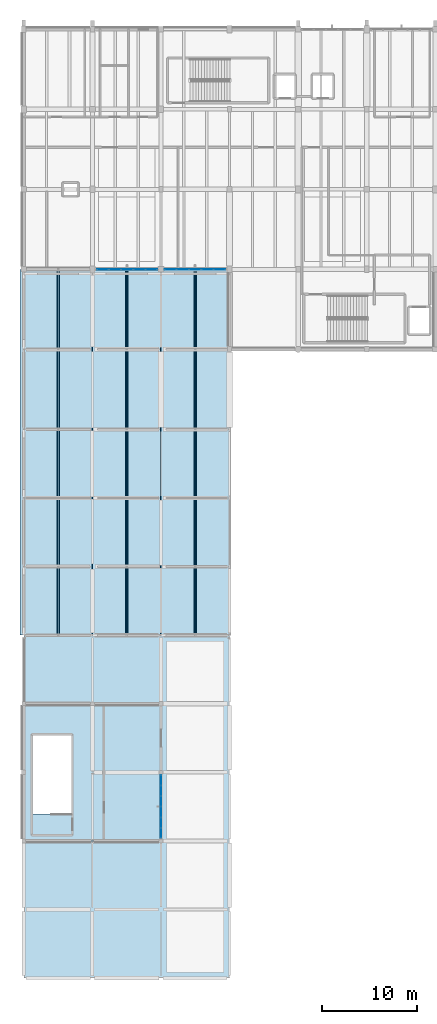
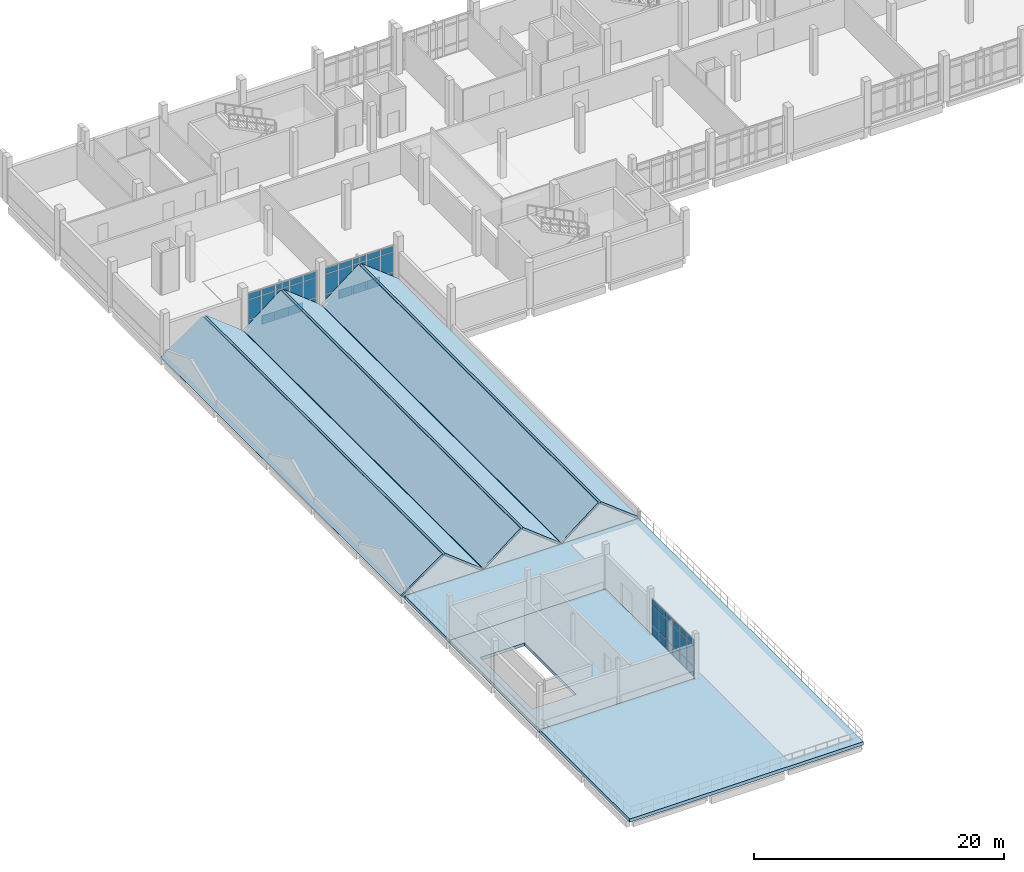
# One storey, part 27 of 41: 48 plates, 9 slabs, 3 elements without a shape of their own.
"""IFC4 building model written with IfcOpenShell, lengths in metres."""

from ifc_helpers import new_model, si_unit, direction, frame, origin, origin_2d, place, context, subcontext, project, spatial, polyline, rectangle, outline, extrude, material, layer, layer_set, type_object, element, aggregate, save


model = new_model("IFC4")

# Units and contexts
model_context = context("Model", 3, precision=1e-05, world=origin(), true_north=direction((0.0, 1.0)))
body_context = subcontext(model_context, "Body", "Model", "MODEL_VIEW")
ifc_project = project(units=[si_unit("LENGTHUNIT", "METRE"), si_unit("AREAUNIT", "SQUARE_METRE"), si_unit("VOLUMEUNIT", "CUBIC_METRE"), si_unit("PLANEANGLEUNIT", "RADIAN"), si_unit("MASSUNIT", "GRAM", prefix="KILO")], contexts=[model_context])

# Site, building, storey
site_placement = place(None, origin())
site = spatial("IfcSite", under=ifc_project, at=site_placement, CompositionType="ELEMENT")
building_placement = place(site_placement, origin())
building = spatial("IfcBuilding", under=site, at=building_placement, Name="Kalluvel Institute of Natural Sciences", CompositionType="ELEMENT")
storey_placement = place(building_placement, frame((0.0, 0.0, 32.39990234375)))
storey = spatial("IfcBuildingStorey", under=building, at=storey_placement, Name="L07", CompositionType="ELEMENT", Elevation=32.39990234375)

# Curtain wall, plates
ifc_material_1 = material(Name="Aluminium AW-6063 T6", Category="aluminium")
curtain_wall_type_1 = type_object("IfcCurtainWallType", Name="CW-WET-45", PredefinedType="USERDEFINED", material=ifc_material_1)
curtain_wall_1_placement = place(storey_placement, origin())
curtain_wall_1 = element("IfcCurtainWall", 1, at=curtain_wall_1_placement, inside=storey, type_object=curtain_wall_type_1, Name="L07 Gothic lancet curtain wall CWA-L07-X216-Y1028", ObjectType="UNITISED LANCET FACADE", PredefinedType="USERDEFINED")
ifc_material_2 = material(Name="Solar-Control Low-E Laminated Glass", Category="glass")
ifc_layer_1 = layer(ifc_material_2, 0.031982421875)
ifc_layer_set_1 = layer_set([ifc_layer_1], Name="Solar-Control Low-E Laminated Glass")
plate_type = type_object("IfcPlateType", Name="CWP-DGU-32", PredefinedType="CURTAIN_PANEL", material=ifc_layer_set_1)
plate_1_placement = place(storey_placement, frame((22.28369140625, 102.800048828125, 0.065185546875), z_axis=(0.0, 0.0, 1.0), x_axis=(1.0, 0.0, 0.0)))
plate_1 = element("IfcPlate", 2, at=plate_1_placement, type_object=plate_type, Name="CW-01 panel 1.1", PredefinedType="CURTAIN_PANEL", context=body_context, shape_type="SweptSolid", body=[
    extrude(rectangle(XDim=1.1875, YDim=0.031982421875, at=origin_2d()), origin(), (0.0, 0.0, 1.0), 0.8525390625),
])
plate_2_placement = place(storey_placement, frame((22.28369140625, 102.800048828125, 0.982666015625), z_axis=(0.0, 0.0, 1.0), x_axis=(1.0, 0.0, 0.0)))
plate_2 = element("IfcPlate", 3, at=plate_2_placement, type_object=plate_type, Name="CW-01 panel 1.2", PredefinedType="CURTAIN_PANEL", context=body_context, shape_type="SweptSolid", body=[
    extrude(rectangle(XDim=1.1875, YDim=0.031982421875, at=origin_2d()), origin(), (0.0, 0.0, 1.0), 1.9150390625),
])
plate_3_placement = place(storey_placement, frame((22.28369140625, 102.800048828125, 2.96240234375), z_axis=(0.0, 0.0, 1.0), x_axis=(1.0, 0.0, 0.0)))
plate_3 = element("IfcPlate", 4, at=plate_3_placement, type_object=plate_type, Name="CW-01 panel 1.3", PredefinedType="CURTAIN_PANEL", context=body_context, shape_type="SweptSolid", body=[
    extrude(rectangle(XDim=1.1875, YDim=0.031982421875, at=origin_2d()), origin(), (0.0, 0.0, 1.0), 0.552490234375),
])
plate_4_placement = place(storey_placement, frame((23.552490234375, 102.800048828125, 0.065185546875), z_axis=(0.0, 0.0, 1.0), x_axis=(1.0, 0.0, 0.0)))
plate_4 = element("IfcPlate", 5, at=plate_4_placement, type_object=plate_type, Name="CW-01 panel 2.1", PredefinedType="CURTAIN_PANEL", context=body_context, shape_type="SweptSolid", body=[
    extrude(rectangle(XDim=1.219970703125, YDim=0.031982421875, at=origin_2d()), origin(), (0.0, 0.0, 1.0), 0.8525390625),
])
plate_5_placement = place(storey_placement, frame((23.552490234375, 102.800048828125, 0.982666015625), z_axis=(0.0, 0.0, 1.0), x_axis=(1.0, 0.0, 0.0)))
plate_5 = element("IfcPlate", 6, at=plate_5_placement, type_object=plate_type, Name="CW-01 panel 2.2", PredefinedType="CURTAIN_PANEL", context=body_context, shape_type="SweptSolid", body=[
    extrude(rectangle(XDim=1.219970703125, YDim=0.031982421875, at=origin_2d()), origin(), (0.0, 0.0, 1.0), 1.9150390625),
])
plate_6_placement = place(storey_placement, frame((23.552490234375, 102.800048828125, 2.96240234375), z_axis=(0.0, 0.0, 1.0), x_axis=(1.0, 0.0, 0.0)))
plate_6 = element("IfcPlate", 7, at=plate_6_placement, type_object=plate_type, Name="CW-01 panel 2.3", PredefinedType="CURTAIN_PANEL", context=body_context, shape_type="SweptSolid", body=[
    extrude(rectangle(XDim=1.219970703125, YDim=0.031982421875, at=origin_2d()), origin(), (0.0, 0.0, 1.0), 0.552490234375),
])
plate_7_placement = place(storey_placement, frame((24.83740234375, 102.800048828125, 0.065185546875), z_axis=(0.0, 0.0, 1.0), x_axis=(1.0, 0.0, 0.0)))
plate_7 = element("IfcPlate", 8, at=plate_7_placement, type_object=plate_type, Name="CW-01 panel 3.1", PredefinedType="CURTAIN_PANEL", context=body_context, shape_type="SweptSolid", body=[
    extrude(rectangle(XDim=1.219970703125, YDim=0.031982421875, at=origin_2d()), origin(), (0.0, 0.0, 1.0), 0.8525390625),
])
plate_8_placement = place(storey_placement, frame((24.83740234375, 102.800048828125, 0.982666015625), z_axis=(0.0, 0.0, 1.0), x_axis=(1.0, 0.0, 0.0)))
plate_8 = element("IfcPlate", 9, at=plate_8_placement, type_object=plate_type, Name="CW-01 panel 3.2", PredefinedType="CURTAIN_PANEL", context=body_context, shape_type="SweptSolid", body=[
    extrude(rectangle(XDim=1.219970703125, YDim=0.031982421875, at=origin_2d()), origin(), (0.0, 0.0, 1.0), 1.9150390625),
])
plate_9_placement = place(storey_placement, frame((24.83740234375, 102.800048828125, 2.96240234375), z_axis=(0.0, 0.0, 1.0), x_axis=(1.0, 0.0, 0.0)))
plate_9 = element("IfcPlate", 10, at=plate_9_placement, type_object=plate_type, Name="CW-01 panel 3.3", PredefinedType="CURTAIN_PANEL", context=body_context, shape_type="SweptSolid", body=[
    extrude(rectangle(XDim=1.219970703125, YDim=0.031982421875, at=origin_2d()), origin(), (0.0, 0.0, 1.0), 0.552490234375),
])
plate_10_placement = place(storey_placement, frame((26.12255859375, 102.800048828125, 0.065185546875), z_axis=(0.0, 0.0, 1.0), x_axis=(1.0, 0.0, 0.0)))
plate_10 = element("IfcPlate", 11, at=plate_10_placement, type_object=plate_type, Name="CW-01 panel 4.1", PredefinedType="CURTAIN_PANEL", context=body_context, shape_type="SweptSolid", body=[
    extrude(rectangle(XDim=1.219970703125, YDim=0.031982421875, at=origin_2d()), origin(), (0.0, 0.0, 1.0), 0.8525390625),
])
plate_11_placement = place(storey_placement, frame((26.12255859375, 102.800048828125, 0.982666015625), z_axis=(0.0, 0.0, 1.0), x_axis=(1.0, 0.0, 0.0)))
plate_11 = element("IfcPlate", 12, at=plate_11_placement, type_object=plate_type, Name="CW-01 panel 4.2", PredefinedType="CURTAIN_PANEL", context=body_context, shape_type="SweptSolid", body=[
    extrude(rectangle(XDim=1.219970703125, YDim=0.031982421875, at=origin_2d()), origin(), (0.0, 0.0, 1.0), 1.9150390625),
])
plate_12_placement = place(storey_placement, frame((26.12255859375, 102.800048828125, 2.96240234375), z_axis=(0.0, 0.0, 1.0), x_axis=(1.0, 0.0, 0.0)))
plate_12 = element("IfcPlate", 13, at=plate_12_placement, type_object=plate_type, Name="CW-01 panel 4.3", PredefinedType="CURTAIN_PANEL", context=body_context, shape_type="SweptSolid", body=[
    extrude(rectangle(XDim=1.219970703125, YDim=0.031982421875, at=origin_2d()), origin(), (0.0, 0.0, 1.0), 0.552490234375),
])
plate_13_placement = place(storey_placement, frame((27.391357421875, 102.800048828125, 0.065185546875), z_axis=(0.0, 0.0, 1.0), x_axis=(1.0, 0.0, 0.0)))
plate_13 = element("IfcPlate", 14, at=plate_13_placement, type_object=plate_type, Name="CW-01 panel 5.1", PredefinedType="CURTAIN_PANEL", context=body_context, shape_type="SweptSolid", body=[
    extrude(rectangle(XDim=1.1875, YDim=0.031982421875, at=origin_2d()), origin(), (0.0, 0.0, 1.0), 0.8525390625),
])
plate_14_placement = place(storey_placement, frame((27.391357421875, 102.800048828125, 0.982666015625), z_axis=(0.0, 0.0, 1.0), x_axis=(1.0, 0.0, 0.0)))
plate_14 = element("IfcPlate", 15, at=plate_14_placement, type_object=plate_type, Name="CW-01 panel 5.2", PredefinedType="CURTAIN_PANEL", context=body_context, shape_type="SweptSolid", body=[
    extrude(rectangle(XDim=1.1875, YDim=0.031982421875, at=origin_2d()), origin(), (0.0, 0.0, 1.0), 1.9150390625),
])
plate_15_placement = place(storey_placement, frame((27.391357421875, 102.800048828125, 2.96240234375), z_axis=(0.0, 0.0, 1.0), x_axis=(1.0, 0.0, 0.0)))
plate_15 = element("IfcPlate", 16, at=plate_15_placement, type_object=plate_type, Name="CW-01 panel 5.3", PredefinedType="CURTAIN_PANEL", context=body_context, shape_type="SweptSolid", body=[
    extrude(rectangle(XDim=1.1875, YDim=0.031982421875, at=origin_2d()), origin(), (0.0, 0.0, 1.0), 0.552490234375),
])
aggregate(curtain_wall_1, [plate_1, plate_2, plate_3, plate_4, plate_5, plate_6, plate_7, plate_8, plate_9, plate_10, plate_11, plate_12, plate_13, plate_14, plate_15])

curtain_wall_2_placement = place(storey_placement, origin())
curtain_wall_2 = element("IfcCurtainWall", 17, at=curtain_wall_2_placement, inside=storey, type_object=curtain_wall_type_1, Name="L07 Gothic lancet curtain wall CWA-L07-X288-Y1028", ObjectType="UNITISED LANCET FACADE", PredefinedType="USERDEFINED")
plate_16_placement = place(storey_placement, frame((29.4111328125, 102.800048828125, 0.065185546875), z_axis=(0.0, 0.0, 1.0), x_axis=(1.0, 0.0, 0.0)))
plate_16 = element("IfcPlate", 18, at=plate_16_placement, type_object=plate_type, Name="CW-01 panel 1.1", PredefinedType="CURTAIN_PANEL", context=body_context, shape_type="SweptSolid", body=[
    extrude(rectangle(XDim=1.1923828125, YDim=0.031982421875, at=origin_2d()), origin(), (0.0, 0.0, 1.0), 0.8525390625),
])
plate_17_placement = place(storey_placement, frame((29.4111328125, 102.800048828125, 0.982666015625), z_axis=(0.0, 0.0, 1.0), x_axis=(1.0, 0.0, 0.0)))
plate_17 = element("IfcPlate", 19, at=plate_17_placement, type_object=plate_type, Name="CW-01 panel 1.2", PredefinedType="CURTAIN_PANEL", context=body_context, shape_type="SweptSolid", body=[
    extrude(rectangle(XDim=1.1923828125, YDim=0.031982421875, at=origin_2d()), origin(), (0.0, 0.0, 1.0), 1.9150390625),
])
plate_18_placement = place(storey_placement, frame((29.4111328125, 102.800048828125, 2.96240234375), z_axis=(0.0, 0.0, 1.0), x_axis=(1.0, 0.0, 0.0)))
plate_18 = element("IfcPlate", 20, at=plate_18_placement, type_object=plate_type, Name="CW-01 panel 1.3", PredefinedType="CURTAIN_PANEL", context=body_context, shape_type="SweptSolid", body=[
    extrude(rectangle(XDim=1.1923828125, YDim=0.031982421875, at=origin_2d()), origin(), (0.0, 0.0, 1.0), 0.552490234375),
])
plate_19_placement = place(storey_placement, frame((30.68505859375, 102.800048828125, 0.065185546875), z_axis=(0.0, 0.0, 1.0), x_axis=(1.0, 0.0, 0.0)))
plate_19 = element("IfcPlate", 21, at=plate_19_placement, type_object=plate_type, Name="CW-01 panel 2.1", PredefinedType="CURTAIN_PANEL", context=body_context, shape_type="SweptSolid", body=[
    extrude(rectangle(XDim=1.22509765625, YDim=0.031982421875, at=origin_2d()), origin(), (0.0, 0.0, 1.0), 0.8525390625),
])
plate_20_placement = place(storey_placement, frame((30.68505859375, 102.800048828125, 0.982666015625), z_axis=(0.0, 0.0, 1.0), x_axis=(1.0, 0.0, 0.0)))
plate_20 = element("IfcPlate", 22, at=plate_20_placement, type_object=plate_type, Name="CW-01 panel 2.2", PredefinedType="CURTAIN_PANEL", context=body_context, shape_type="SweptSolid", body=[
    extrude(rectangle(XDim=1.22509765625, YDim=0.031982421875, at=origin_2d()), origin(), (0.0, 0.0, 1.0), 1.9150390625),
])
plate_21_placement = place(storey_placement, frame((30.68505859375, 102.800048828125, 2.96240234375), z_axis=(0.0, 0.0, 1.0), x_axis=(1.0, 0.0, 0.0)))
plate_21 = element("IfcPlate", 23, at=plate_21_placement, type_object=plate_type, Name="CW-01 panel 2.3", PredefinedType="CURTAIN_PANEL", context=body_context, shape_type="SweptSolid", body=[
    extrude(rectangle(XDim=1.22509765625, YDim=0.031982421875, at=origin_2d()), origin(), (0.0, 0.0, 1.0), 0.552490234375),
])
plate_22_placement = place(storey_placement, frame((31.97509765625, 102.800048828125, 0.065185546875), z_axis=(0.0, 0.0, 1.0), x_axis=(1.0, 0.0, 0.0)))
plate_22 = element("IfcPlate", 24, at=plate_22_placement, type_object=plate_type, Name="CW-01 panel 3.1", PredefinedType="CURTAIN_PANEL", context=body_context, shape_type="SweptSolid", body=[
    extrude(rectangle(XDim=1.22509765625, YDim=0.031982421875, at=origin_2d()), origin(), (0.0, 0.0, 1.0), 0.8525390625),
])
plate_23_placement = place(storey_placement, frame((31.97509765625, 102.800048828125, 0.982666015625), z_axis=(0.0, 0.0, 1.0), x_axis=(1.0, 0.0, 0.0)))
plate_23 = element("IfcPlate", 25, at=plate_23_placement, type_object=plate_type, Name="CW-01 panel 3.2", PredefinedType="CURTAIN_PANEL", context=body_context, shape_type="SweptSolid", body=[
    extrude(rectangle(XDim=1.22509765625, YDim=0.031982421875, at=origin_2d()), origin(), (0.0, 0.0, 1.0), 1.9150390625),
])
plate_24_placement = place(storey_placement, frame((31.97509765625, 102.800048828125, 2.96240234375), z_axis=(0.0, 0.0, 1.0), x_axis=(1.0, 0.0, 0.0)))
plate_24 = element("IfcPlate", 26, at=plate_24_placement, type_object=plate_type, Name="CW-01 panel 3.3", PredefinedType="CURTAIN_PANEL", context=body_context, shape_type="SweptSolid", body=[
    extrude(rectangle(XDim=1.22509765625, YDim=0.031982421875, at=origin_2d()), origin(), (0.0, 0.0, 1.0), 0.552490234375),
])
plate_25_placement = place(storey_placement, frame((33.264892578125, 102.800048828125, 0.065185546875), z_axis=(0.0, 0.0, 1.0), x_axis=(1.0, 0.0, 0.0)))
plate_25 = element("IfcPlate", 27, at=plate_25_placement, type_object=plate_type, Name="CW-01 panel 4.1", PredefinedType="CURTAIN_PANEL", context=body_context, shape_type="SweptSolid", body=[
    extrude(rectangle(XDim=1.22509765625, YDim=0.031982421875, at=origin_2d()), origin(), (0.0, 0.0, 1.0), 0.8525390625),
])
plate_26_placement = place(storey_placement, frame((33.264892578125, 102.800048828125, 0.982666015625), z_axis=(0.0, 0.0, 1.0), x_axis=(1.0, 0.0, 0.0)))
plate_26 = element("IfcPlate", 28, at=plate_26_placement, type_object=plate_type, Name="CW-01 panel 4.2", PredefinedType="CURTAIN_PANEL", context=body_context, shape_type="SweptSolid", body=[
    extrude(rectangle(XDim=1.22509765625, YDim=0.031982421875, at=origin_2d()), origin(), (0.0, 0.0, 1.0), 1.9150390625),
])
plate_27_placement = place(storey_placement, frame((33.264892578125, 102.800048828125, 2.96240234375), z_axis=(0.0, 0.0, 1.0), x_axis=(1.0, 0.0, 0.0)))
plate_27 = element("IfcPlate", 29, at=plate_27_placement, type_object=plate_type, Name="CW-01 panel 4.3", PredefinedType="CURTAIN_PANEL", context=body_context, shape_type="SweptSolid", body=[
    extrude(rectangle(XDim=1.22509765625, YDim=0.031982421875, at=origin_2d()), origin(), (0.0, 0.0, 1.0), 0.552490234375),
])
plate_28_placement = place(storey_placement, frame((34.538818359375, 102.800048828125, 0.065185546875), z_axis=(0.0, 0.0, 1.0), x_axis=(1.0, 0.0, 0.0)))
plate_28 = element("IfcPlate", 30, at=plate_28_placement, type_object=plate_type, Name="CW-01 panel 5.1", PredefinedType="CURTAIN_PANEL", context=body_context, shape_type="SweptSolid", body=[
    extrude(rectangle(XDim=1.1923828125, YDim=0.031982421875, at=origin_2d()), origin(), (0.0, 0.0, 1.0), 0.8525390625),
])
plate_29_placement = place(storey_placement, frame((34.538818359375, 102.800048828125, 0.982666015625), z_axis=(0.0, 0.0, 1.0), x_axis=(1.0, 0.0, 0.0)))
plate_29 = element("IfcPlate", 31, at=plate_29_placement, type_object=plate_type, Name="CW-01 panel 5.2", PredefinedType="CURTAIN_PANEL", context=body_context, shape_type="SweptSolid", body=[
    extrude(rectangle(XDim=1.1923828125, YDim=0.031982421875, at=origin_2d()), origin(), (0.0, 0.0, 1.0), 1.9150390625),
])
plate_30_placement = place(storey_placement, frame((34.538818359375, 102.800048828125, 2.96240234375), z_axis=(0.0, 0.0, 1.0), x_axis=(1.0, 0.0, 0.0)))
plate_30 = element("IfcPlate", 32, at=plate_30_placement, type_object=plate_type, Name="CW-01 panel 5.3", PredefinedType="CURTAIN_PANEL", context=body_context, shape_type="SweptSolid", body=[
    extrude(rectangle(XDim=1.1923828125, YDim=0.031982421875, at=origin_2d()), origin(), (0.0, 0.0, 1.0), 0.552490234375),
])
aggregate(curtain_wall_2, [plate_16, plate_17, plate_18, plate_19, plate_20, plate_21, plate_22, plate_23, plate_24, plate_25, plate_26, plate_27, plate_28, plate_29, plate_30])

curtain_wall_type_2 = type_object("IfcCurtainWallType", Name="CW-DRY-45", PredefinedType="USERDEFINED", material=ifc_material_1)
curtain_wall_3_placement = place(storey_placement, origin())
curtain_wall_3 = element("IfcCurtainWall", 33, at=curtain_wall_3_placement, inside=storey, type_object=curtain_wall_type_2, Name="L07 Gothic lancet curtain wall CWA-L07-X284-Y430", ObjectType="UNITISED LANCET FACADE", PredefinedType="USERDEFINED")
plate_31_placement = place(storey_placement, frame((28.39990234375, 43.623291015625, 0.06005859375), z_axis=(0.0, 0.0, 1.0), x_axis=(0.0, 1.0, 0.0)))
plate_31 = element("IfcPlate", 34, at=plate_31_placement, type_object=plate_type, Name="CW-03 panel 1.1", PredefinedType="CURTAIN_PANEL", context=body_context, shape_type="SweptSolid", body=[
    extrude(rectangle(XDim=1.026611328125, YDim=0.031982421875, at=origin_2d()), origin(), (0.0, 0.0, 1.0), 0.860107421875),
])
plate_32_placement = place(storey_placement, frame((28.39990234375, 43.623291015625, 0.980224609375), z_axis=(0.0, 0.0, 1.0), x_axis=(0.0, 1.0, 0.0)))
plate_32 = element("IfcPlate", 35, at=plate_32_placement, type_object=plate_type, Name="CW-03 panel 1.2", PredefinedType="CURTAIN_PANEL", context=body_context, shape_type="SweptSolid", body=[
    extrude(rectangle(XDim=1.026611328125, YDim=0.031982421875, at=origin_2d()), origin(), (0.0, 0.0, 1.0), 1.9599609375),
])
plate_33_placement = place(storey_placement, frame((28.39990234375, 43.623291015625, 3.0), z_axis=(0.0, 0.0, 1.0), x_axis=(0.0, 1.0, 0.0)))
plate_33 = element("IfcPlate", 36, at=plate_33_placement, type_object=plate_type, Name="CW-03 panel 1.3", PredefinedType="CURTAIN_PANEL", context=body_context, shape_type="SweptSolid", body=[
    extrude(rectangle(XDim=1.026611328125, YDim=0.031982421875, at=origin_2d()), origin(), (0.0, 0.0, 1.0), 0.56005859375),
])
plate_34_placement = place(storey_placement, frame((28.39990234375, 44.72509765625, 0.06005859375), z_axis=(0.0, 0.0, 1.0), x_axis=(0.0, 1.0, 0.0)))
plate_34 = element("IfcPlate", 37, at=plate_34_placement, type_object=plate_type, Name="CW-03 panel 2.1", PredefinedType="CURTAIN_PANEL", context=body_context, shape_type="SweptSolid", body=[
    extrude(rectangle(XDim=1.056640625, YDim=0.031982421875, at=origin_2d()), origin(), (0.0, 0.0, 1.0), 0.860107421875),
])
plate_35_placement = place(storey_placement, frame((28.39990234375, 44.72509765625, 0.980224609375), z_axis=(0.0, 0.0, 1.0), x_axis=(0.0, 1.0, 0.0)))
plate_35 = element("IfcPlate", 38, at=plate_35_placement, type_object=plate_type, Name="CW-03 panel 2.2", PredefinedType="CURTAIN_PANEL", context=body_context, shape_type="SweptSolid", body=[
    extrude(rectangle(XDim=1.056640625, YDim=0.031982421875, at=origin_2d()), origin(), (0.0, 0.0, 1.0), 1.9599609375),
])
plate_36_placement = place(storey_placement, frame((28.39990234375, 44.72509765625, 3.0), z_axis=(0.0, 0.0, 1.0), x_axis=(0.0, 1.0, 0.0)))
plate_36 = element("IfcPlate", 39, at=plate_36_placement, type_object=plate_type, Name="CW-03 panel 2.3", PredefinedType="CURTAIN_PANEL", context=body_context, shape_type="SweptSolid", body=[
    extrude(rectangle(XDim=1.056640625, YDim=0.031982421875, at=origin_2d()), origin(), (0.0, 0.0, 1.0), 0.56005859375),
])
plate_37_placement = place(storey_placement, frame((28.39990234375, 45.841552734375, 0.06005859375), z_axis=(0.0, 0.0, 1.0), x_axis=(0.0, 1.0, 0.0)))
plate_37 = element("IfcPlate", 40, at=plate_37_placement, type_object=plate_type, Name="CW-03 panel 3.1", PredefinedType="CURTAIN_PANEL", context=body_context, shape_type="SweptSolid", body=[
    extrude(rectangle(XDim=1.056640625, YDim=0.031982421875, at=origin_2d()), origin(), (0.0, 0.0, 1.0), 0.860107421875),
])
plate_38_placement = place(storey_placement, frame((28.39990234375, 45.841552734375, 0.980224609375), z_axis=(0.0, 0.0, 1.0), x_axis=(0.0, 1.0, 0.0)))
plate_38 = element("IfcPlate", 41, at=plate_38_placement, type_object=plate_type, Name="CW-03 panel 3.2", PredefinedType="CURTAIN_PANEL", context=body_context, shape_type="SweptSolid", body=[
    extrude(rectangle(XDim=1.056640625, YDim=0.031982421875, at=origin_2d()), origin(), (0.0, 0.0, 1.0), 1.9599609375),
])
plate_39_placement = place(storey_placement, frame((28.39990234375, 45.841552734375, 3.0), z_axis=(0.0, 0.0, 1.0), x_axis=(0.0, 1.0, 0.0)))
plate_39 = element("IfcPlate", 42, at=plate_39_placement, type_object=plate_type, Name="CW-03 panel 3.3", PredefinedType="CURTAIN_PANEL", context=body_context, shape_type="SweptSolid", body=[
    extrude(rectangle(XDim=1.056640625, YDim=0.031982421875, at=origin_2d()), origin(), (0.0, 0.0, 1.0), 0.56005859375),
])
plate_40_placement = place(storey_placement, frame((28.39990234375, 46.958251953125, 0.06005859375), z_axis=(0.0, 0.0, 1.0), x_axis=(0.0, 1.0, 0.0)))
plate_40 = element("IfcPlate", 43, at=plate_40_placement, type_object=plate_type, Name="CW-03 panel 4.1", PredefinedType="CURTAIN_PANEL", context=body_context, shape_type="SweptSolid", body=[
    extrude(rectangle(XDim=1.056640625, YDim=0.031982421875, at=origin_2d()), origin(), (0.0, 0.0, 1.0), 0.860107421875),
])
plate_41_placement = place(storey_placement, frame((28.39990234375, 46.958251953125, 0.980224609375), z_axis=(0.0, 0.0, 1.0), x_axis=(0.0, 1.0, 0.0)))
plate_41 = element("IfcPlate", 44, at=plate_41_placement, type_object=plate_type, Name="CW-03 panel 4.2", PredefinedType="CURTAIN_PANEL", context=body_context, shape_type="SweptSolid", body=[
    extrude(rectangle(XDim=1.056640625, YDim=0.031982421875, at=origin_2d()), origin(), (0.0, 0.0, 1.0), 1.9599609375),
])
plate_42_placement = place(storey_placement, frame((28.39990234375, 46.958251953125, 3.0), z_axis=(0.0, 0.0, 1.0), x_axis=(0.0, 1.0, 0.0)))
plate_42 = element("IfcPlate", 45, at=plate_42_placement, type_object=plate_type, Name="CW-03 panel 4.3", PredefinedType="CURTAIN_PANEL", context=body_context, shape_type="SweptSolid", body=[
    extrude(rectangle(XDim=1.056640625, YDim=0.031982421875, at=origin_2d()), origin(), (0.0, 0.0, 1.0), 0.56005859375),
])
plate_43_placement = place(storey_placement, frame((28.39990234375, 48.074951171875, 0.06005859375), z_axis=(0.0, 0.0, 1.0), x_axis=(0.0, 1.0, 0.0)))
plate_43 = element("IfcPlate", 46, at=plate_43_placement, type_object=plate_type, Name="CW-03 panel 5.1", PredefinedType="CURTAIN_PANEL", context=body_context, shape_type="SweptSolid", body=[
    extrude(rectangle(XDim=1.056640625, YDim=0.031982421875, at=origin_2d()), origin(), (0.0, 0.0, 1.0), 0.860107421875),
])
plate_44_placement = place(storey_placement, frame((28.39990234375, 48.074951171875, 0.980224609375), z_axis=(0.0, 0.0, 1.0), x_axis=(0.0, 1.0, 0.0)))
plate_44 = element("IfcPlate", 47, at=plate_44_placement, type_object=plate_type, Name="CW-03 panel 5.2", PredefinedType="CURTAIN_PANEL", context=body_context, shape_type="SweptSolid", body=[
    extrude(rectangle(XDim=1.056640625, YDim=0.031982421875, at=origin_2d()), origin(), (0.0, 0.0, 1.0), 1.9599609375),
])
plate_45_placement = place(storey_placement, frame((28.39990234375, 48.074951171875, 3.0), z_axis=(0.0, 0.0, 1.0), x_axis=(0.0, 1.0, 0.0)))
plate_45 = element("IfcPlate", 48, at=plate_45_placement, type_object=plate_type, Name="CW-03 panel 5.3", PredefinedType="CURTAIN_PANEL", context=body_context, shape_type="SweptSolid", body=[
    extrude(rectangle(XDim=1.056640625, YDim=0.031982421875, at=origin_2d()), origin(), (0.0, 0.0, 1.0), 0.56005859375),
])
plate_46_placement = place(storey_placement, frame((28.39990234375, 49.1767578125, 0.06005859375), z_axis=(0.0, 0.0, 1.0), x_axis=(0.0, 1.0, 0.0)))
plate_46 = element("IfcPlate", 49, at=plate_46_placement, type_object=plate_type, Name="CW-03 panel 6.1", PredefinedType="CURTAIN_PANEL", context=body_context, shape_type="SweptSolid", body=[
    extrude(rectangle(XDim=1.026611328125, YDim=0.031982421875, at=origin_2d()), origin(), (0.0, 0.0, 1.0), 0.860107421875),
])
plate_47_placement = place(storey_placement, frame((28.39990234375, 49.1767578125, 0.980224609375), z_axis=(0.0, 0.0, 1.0), x_axis=(0.0, 1.0, 0.0)))
plate_47 = element("IfcPlate", 50, at=plate_47_placement, type_object=plate_type, Name="CW-03 panel 6.2", PredefinedType="CURTAIN_PANEL", context=body_context, shape_type="SweptSolid", body=[
    extrude(rectangle(XDim=1.026611328125, YDim=0.031982421875, at=origin_2d()), origin(), (0.0, 0.0, 1.0), 1.9599609375),
])
plate_48_placement = place(storey_placement, frame((28.39990234375, 49.1767578125, 3.0), z_axis=(0.0, 0.0, 1.0), x_axis=(0.0, 1.0, 0.0)))
plate_48 = element("IfcPlate", 51, at=plate_48_placement, type_object=plate_type, Name="CW-03 panel 6.3", PredefinedType="CURTAIN_PANEL", context=body_context, shape_type="SweptSolid", body=[
    extrude(rectangle(XDim=1.026611328125, YDim=0.031982421875, at=origin_2d()), origin(), (0.0, 0.0, 1.0), 0.56005859375),
])
aggregate(curtain_wall_3, [plate_31, plate_32, plate_33, plate_34, plate_35, plate_36, plate_37, plate_38, plate_39, plate_40, plate_41, plate_42, plate_43, plate_44, plate_45, plate_46, plate_47, plate_48])

# Slabs
ifc_material_3 = material(Name="Concrete M40", Category="concrete")
ifc_layer_2 = layer(ifc_material_3, 0.300048828125)
ifc_layer_set_2 = layer_set([ifc_layer_2], Name="Concrete M40")
slab_type_1 = type_object("IfcSlabType", Name="SLB-DRY-300", PredefinedType="FLOOR", material=ifc_layer_set_2)
slab_1_placement = place(storey_placement, frame((0.0, 0.0, -0.2998046875)))
element("IfcSlab", 52, at=slab_1_placement, inside=storey, type_object=slab_type_1, Name="L07 Dry-Wing Botanical Roof-Garden Pavilion Floor Slab", PredefinedType="FLOOR", context=body_context, shape_type="SweptSolid", body=[
    extrude(outline(polyline([(14.0, 42.800048828125), (28.39990234375, 42.800048828125), (28.39990234375, 57.199951171875), (14.0, 57.199951171875), (14.0, 42.800048828125)]), holes=[polyline([(19.0, 45.617919921875), (14.929931640625, 45.617919921875), (14.929931640625, 53.89990234375), (19.0, 53.89990234375), (19.0, 45.617919921875)])]), origin(), (0.0, 0.0, 1.0), 0.2998046875),
])
ifc_material_4 = material(Name="Sadarahalli Granite Precast Concrete M45", Category="masonry")
ifc_layer_3 = layer(ifc_material_4, 0.179931640625)
ifc_layer_set_3 = layer_set([ifc_layer_3], Name="Sadarahalli Granite Precast Concrete M45")
slab_type_2 = type_object("IfcSlabType", Name="SLB-FOLD-180", PredefinedType="ROOF", material=ifc_layer_set_3)
slab_2_placement = place(storey_placement, frame((13.60009765625, 64.39990234375, 0.153076171875), z_axis=(-0.57024295583, 0.0, 0.821476092973), x_axis=(0.821476092973, 0.0, 0.57024295583)))
element("IfcSlab", 53, at=slab_2_placement, inside=storey, type_object=slab_type_2, Name="Dry Wing Collegiate-Gothic Pitched Roof West Slope 1", PredefinedType="ROOF", context=body_context, shape_type="SweptSolid", body=[
    extrude(outline(polyline([(0.0, 0.0), (4.729600702301539, 0.0), (4.729600702301539, 38.400146484375), (0.0, 38.400146484375), (0.0, 0.0)])), origin(), (0.0, 0.0, -1.0), 0.179931640625),
])
slab_3_placement = place(storey_placement, frame((17.722900390625, 64.39990234375, 2.85009765625), z_axis=(0.616546946733, 0.0, 0.787318145653), x_axis=(0.787318145653, 0.0, -0.616546946733)))
element("IfcSlab", 54, at=slab_3_placement, inside=storey, type_object=slab_type_2, Name="Dry Wing Collegiate-Gothic Pitched Roof East Slope 1", PredefinedType="ROOF", context=body_context, shape_type="SweptSolid", body=[
    extrude(outline(polyline([(0.0, 0.0), (4.384693095875383, 0.0), (4.384693095875383, 38.400146484375), (0.0, 38.400146484375), (0.0, 0.0)])), origin(), (0.0, 0.0, -1.0), 0.179931640625),
])
for number, where, z_axis, x_axis, name in (
    (55, (21.22509765625, 64.39990234375, 0.146728515625), (-0.616573975764, 0.0, 0.787296978535), (0.787296978535, 0.0, 0.616573975764), "Dry Wing Collegiate-Gothic Pitched Roof West Slope 2"),
    (56, (24.923095703125, 64.39990234375, 2.85009765625), (0.616573975764, 0.0, 0.787296978535), (0.787296978535, 0.0, -0.616573975764), "Dry Wing Collegiate-Gothic Pitched Roof East Slope 2"),
    (57, (28.425048828125, 64.39990234375, 0.146728515625), (-0.616573975764, 0.0, 0.787296978535), (0.787296978535, 0.0, 0.616573975764), "Dry Wing Collegiate-Gothic Pitched Roof West Slope 3"),
):
    element("IfcSlab", number, at=place(storey_placement, frame(where, z_axis=z_axis, x_axis=x_axis)), inside=storey, type_object=slab_type_2, Name=name, PredefinedType="ROOF", context=body_context, shape_type="SweptSolid", body=[
        extrude(outline(polyline([(0.0, 0.0), (4.384500882115049, 0.0), (4.384500882115049, 38.400146484375), (0.0, 38.400146484375), (0.0, 0.0)])), origin(), (0.0, 0.0, -1.0), 0.179931640625),
    ])
slab_4_placement = place(storey_placement, frame((32.12255859375, 64.39990234375, 2.85009765625), z_axis=(0.613675789699, 0.0, 0.789558120177), x_axis=(0.789558120177, 0.0, -0.613675789699)))
element("IfcSlab", 58, at=slab_4_placement, inside=storey, type_object=slab_type_2, Name="Dry Wing Collegiate-Gothic Pitched Roof East Slope 3", PredefinedType="ROOF", context=body_context, shape_type="SweptSolid", body=[
    extrude(outline(polyline([(0.0, 0.0), (4.404411750868568, 0.0), (4.404411750868568, 38.400146484375), (0.0, 38.400146484375), (0.0, 0.0)])), origin(), (0.0, 0.0, -1.0), 0.179931640625),
])
ifc_layer_4 = layer(ifc_material_3, 0.280029296875)
ifc_layer_set_4 = layer_set([ifc_layer_4], Name="Concrete M40")
slab_type_3 = type_object("IfcSlabType", Name="SLB-ROOF-280", PredefinedType="ROOF", material=ifc_layer_set_4)
slab_5_placement = place(storey_placement, frame((0.0, 0.0, -0.27978515625)))
element("IfcSlab", 59, at=slab_5_placement, inside=storey, type_object=slab_type_3, Name="L07 Dry-Wing North Structural Attic Roof Slab", PredefinedType="ROOF", context=body_context, shape_type="SweptSolid", body=[
    extrude(outline(polyline([(14.0, 64.39990234375), (35.60009765625, 64.39990234375), (35.60009765625, 102.800048828125), (14.0, 102.800048828125), (14.0, 64.39990234375)])), origin(), (0.0, 0.0, 1.0), 0.27978515625),
])
ifc_layer_5 = layer(ifc_material_4, 0.320068359375)
ifc_layer_set_5 = layer_set([ifc_layer_5], Name="Sadarahalli Granite Precast Concrete M45")
slab_type_4 = type_object("IfcSlabType", Name="SLB-TER-320", PredefinedType="FLOOR", material=ifc_layer_set_5)
slab_6_placement = place(storey_placement, frame((0.0, 0.0, -0.31982421875)))
element("IfcSlab", 60, at=slab_6_placement, inside=storey, type_object=slab_type_4, Name="L07 Dry-Wing South Planted Roof Garden Terrace Slab", PredefinedType="FLOOR", context=body_context, shape_type="SweptSolid", body=[
    extrude(outline(polyline([(14.0, 64.39990234375), (35.60009765625, 64.39990234375), (35.60009765625, 28.39990234375), (14.0, 28.39990234375), (14.0, 42.800048828125), (28.39990234375, 42.800048828125), (28.39990234375, 57.199951171875), (14.0, 57.199951171875), (14.0, 64.39990234375)])), origin(), (0.0, 0.0, 1.0), 0.31982421875),
])

save(model, "model.ifc")
